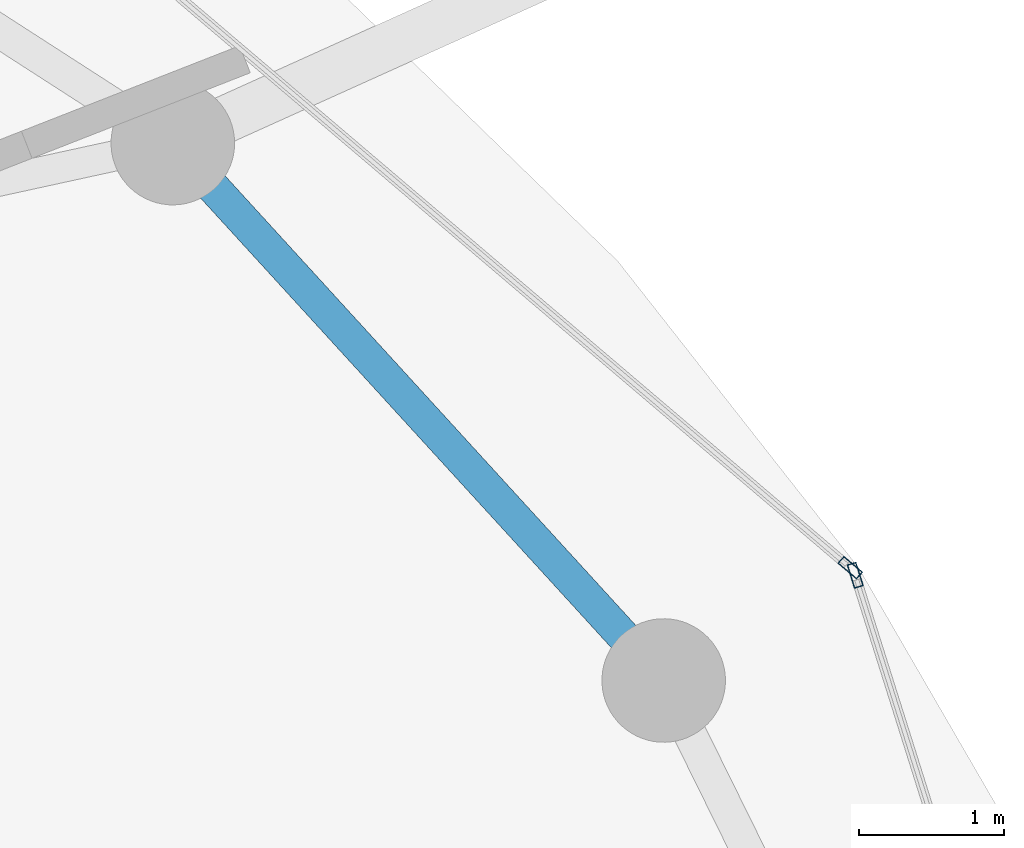
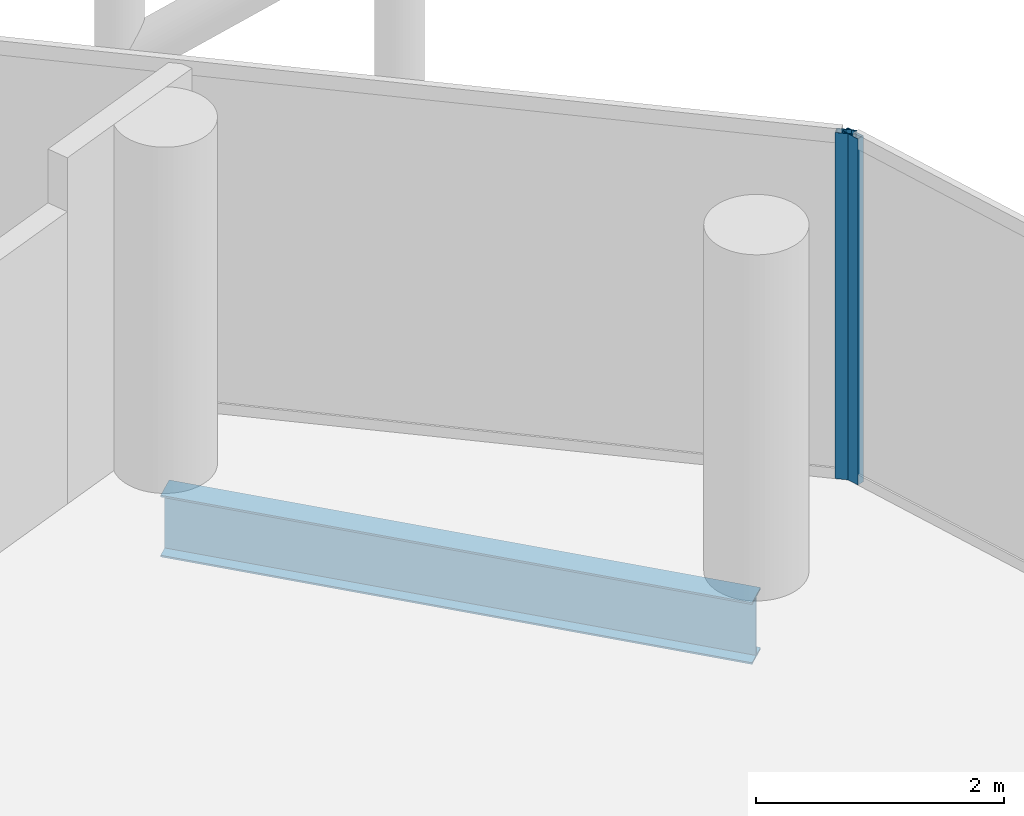
# One storey, part 17 of 27: 2 members, 1 beam, 2 elements without a shape of their own.
"""IFC4 building model written with IfcOpenShell, lengths in metres."""

from ifc_helpers import new_model, si_unit, direction, frame, origin, origin_2d, place, context, subcontext, project, spatial, hollow_rectangle, i_section, extrude, material, layer, layer_set, material_profile, profile_set, type_object, element, aggregate, save


model = new_model("IFC4")

# Units and contexts
model_context = context("Model", 3, precision=1e-05, world=origin(), true_north=direction((0.0, 1.0)))
body_context = subcontext(model_context, "Body", "Model", "MODEL_VIEW")
ifc_project = project(units=[si_unit("LENGTHUNIT", "METRE"), si_unit("AREAUNIT", "SQUARE_METRE"), si_unit("VOLUMEUNIT", "CUBIC_METRE"), si_unit("PLANEANGLEUNIT", "RADIAN"), si_unit("MASSUNIT", "GRAM", prefix="KILO")], contexts=[model_context])

# Site, building, storey
site_placement = place(None, origin())
site = spatial("IfcSite", under=ifc_project, at=site_placement, CompositionType="ELEMENT")
building_placement = place(site_placement, origin())
building = spatial("IfcBuilding", under=site, at=building_placement, Name="Nuhasar Tower", CompositionType="ELEMENT")
storey_placement = place(building_placement, frame((0.0, 0.0, 248.300048828125)))
storey = spatial("IfcBuildingStorey", under=building, at=storey_placement, Name="L61", CompositionType="ELEMENT", Elevation=248.300048828125)

# Beam
ifc_material_1 = material(Name="Steel S355", Category="steel")
ifc_material_profile_1 = material_profile(ifc_material_1, i_section(OverallWidth=0.22802734375, OverallDepth=0.60791015625, WebThickness=0.01123046875, FlangeThickness=0.017333984375, at=origin_2d()), Name="W24X76")
ifc_profile_set_1 = profile_set([ifc_material_profile_1], Name="Steel S355")
beam_type = type_object("IfcBeamType", Name="BM-RING-W24X76", PredefinedType="SPANDREL", material=ifc_profile_set_1)
beam_placement = place(storey_placement, frame((57.403076171875, 35.72509765625, -0.5439453125), z_axis=(-0.674449692975, 0.738320805373, 0.0), x_axis=(-0.738320805373, -0.674449692975, 0.0)))
element("IfcBeam", 1, at=beam_placement, inside=storey, type_object=beam_type, Name="L61 Perimeter Ring Spandrel 03", PredefinedType="SPANDREL", context=body_context, shape_type="SweptSolid", body=[
    extrude(i_section(OverallWidth=0.22802734375, OverallDepth=0.60791015625, WebThickness=0.01123046875, FlangeThickness=0.017333984375, at=origin_2d()), origin(), (0.0, 0.0, 1.0), 5.00732421875),
])

# Curtain wall, member
ifc_material_2 = material(Name="Aluminium 6063-T6", Category="aluminium")
ifc_layer = layer(ifc_material_2, 0.18994140625)
ifc_layer_set = layer_set([ifc_layer], Name="Aluminium 6063-T6")
curtain_wall_type = type_object("IfcCurtainWallType", Name="CW-Z3-RES", PredefinedType="NOTDEFINED", material=ifc_layer_set)
curtain_wall_1_placement = place(storey_placement, origin())
curtain_wall_1 = element("IfcCurtainWall", 2, at=curtain_wall_1_placement, inside=storey, type_object=curtain_wall_type, Name="L61 Unitised Curtain Wall 01", PredefinedType="NOTDEFINED")
ifc_material_profile_2 = material_profile(ifc_material_2, hollow_rectangle(XDim=0.06494140625, YDim=0.169921875, WallThickness=0.0048828125, at=origin_2d()), Name="CWM-4")
ifc_profile_set_2 = profile_set([ifc_material_profile_2], Name="Aluminium 6063-T6")
member_type = type_object("IfcMemberType", Name="CW-MUL-S4", PredefinedType="MULLION", material=ifc_profile_set_2)
member_1_placement = place(storey_placement, frame((58.720703125, 36.448974609375, 0.0), z_axis=(0.0, 0.0, 1.0), x_axis=(-0.95380429279, -0.30042864553, 0.0)))
member_1 = element("IfcMember", 3, at=member_1_placement, type_object=member_type, Name="CW-Z3 mullion 2", PredefinedType="MULLION", context=body_context, shape_type="SweptSolid", body=[
    extrude(hollow_rectangle(XDim=0.06494140625, YDim=0.169921875, WallThickness=0.0048828125, at=origin_2d()), origin(), (0.0, 0.0, 1.0), 3.409912109375),
])
aggregate(curtain_wall_1, [member_1])

curtain_wall_2_placement = place(storey_placement, origin())
curtain_wall_2 = element("IfcCurtainWall", 4, at=curtain_wall_2_placement, inside=storey, type_object=curtain_wall_type, Name="L61 Unitised Curtain Wall 02", PredefinedType="NOTDEFINED")
member_2_placement = place(storey_placement, frame((58.686279296875, 36.5009765625, 0.0), z_axis=(0.0, 0.0, 1.0), x_axis=(-0.64789521578, -0.761729472562, 0.0)))
member_2 = element("IfcMember", 5, at=member_2_placement, type_object=member_type, Name="CW-Z3 mullion 1", PredefinedType="MULLION", context=body_context, shape_type="SweptSolid", body=[
    extrude(hollow_rectangle(XDim=0.06494140625, YDim=0.169921875, WallThickness=0.0048828125, at=origin_2d()), origin(), (0.0, 0.0, 1.0), 3.409912109375),
])
aggregate(curtain_wall_2, [member_2])

save(model, "model.ifc")
